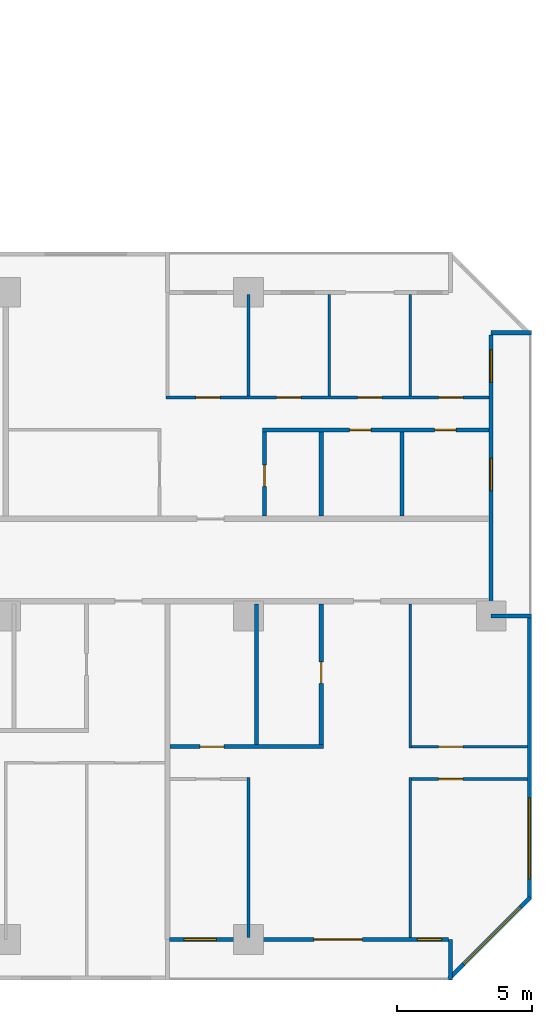
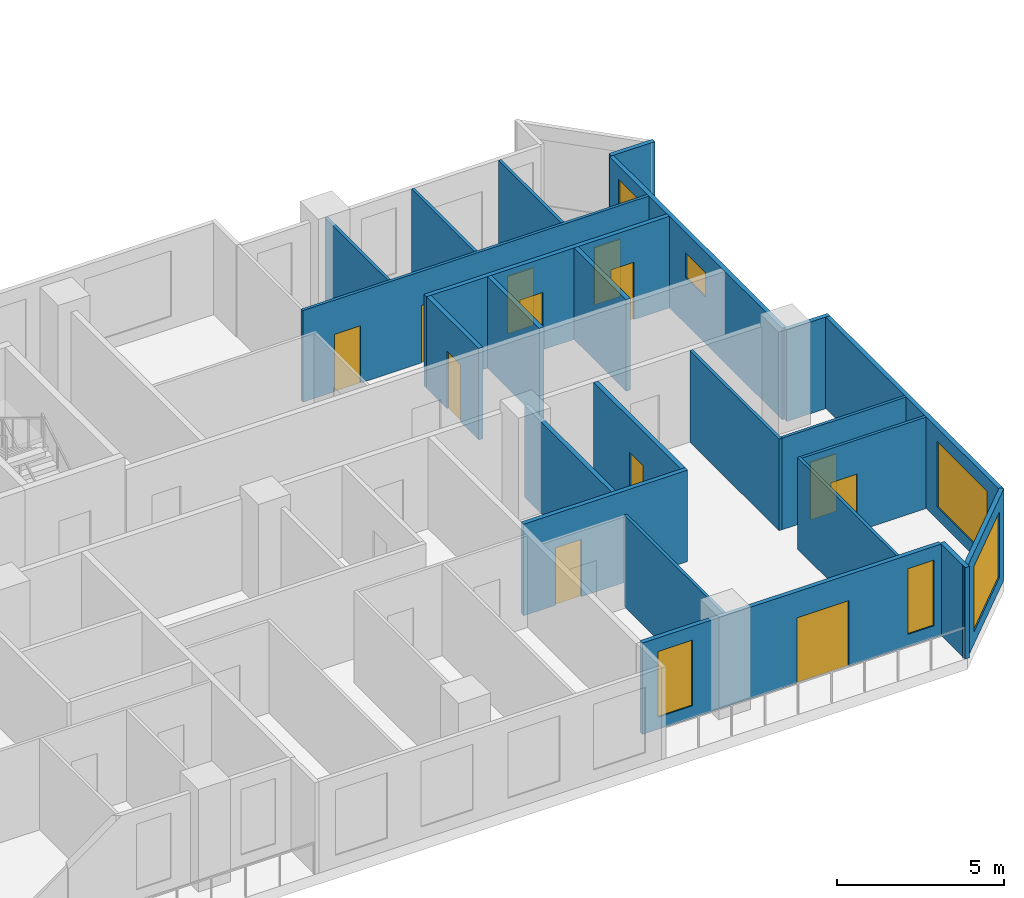
# One storey, part 11 of 15: 23 walls, 12 doors, 6 windows, 18 openings.
"""IFC4 building model written with IfcOpenShell, lengths in metres."""

from ifc_helpers import new_model, si_unit, direction, frame, frame_2d, origin, place, context, subcontext, project, spatial, rectangle, extrude, material, layer, layer_set, type_object, element, fill, save


model = new_model("IFC4")

# Units and contexts
model_context = context("Model", 3, precision=1e-05, world=origin(), true_north=direction((0.0, 1.0)))
body_context = subcontext(model_context, "Body", "Model", "MODEL_VIEW")
ifc_project = project(units=[si_unit("LENGTHUNIT", "METRE"), si_unit("AREAUNIT", "SQUARE_METRE"), si_unit("VOLUMEUNIT", "CUBIC_METRE"), si_unit("PLANEANGLEUNIT", "RADIAN"), si_unit("MASSUNIT", "GRAM", prefix="KILO")], contexts=[model_context])

# Site, building, storey
site_placement = place(None, origin())
site = spatial("IfcSite", under=ifc_project, at=site_placement, CompositionType="ELEMENT")
building_placement = place(site_placement, origin())
building = spatial("IfcBuilding", under=site, at=building_placement, Name="Chenar Terraces", CompositionType="ELEMENT")
storey_placement = place(building_placement, frame((0.0, 0.0, 45.14990234375)))
storey = spatial("IfcBuildingStorey", under=building, at=storey_placement, Name="L08", CompositionType="ELEMENT", Elevation=45.14990234375)

# Wall, opening, window
ifc_material_1 = material(Name="Aluminium framed glazing", Category="aluminium")
ifc_layer_1 = layer(ifc_material_1, 0.14990234375)
ifc_layer_set_1 = layer_set([ifc_layer_1], Name="Aluminium framed glazing")
wall_type_1 = type_object("IfcWallType", Name="Glazed flush facade wall 150", PredefinedType="SOLIDWALL", material=ifc_layer_set_1)
wall_1_placement = place(storey_placement, frame((73.425048828125, 1.5, 0.0), z_axis=(0.0, 0.0, 1.0), x_axis=(0.0, 1.0, 0.0)))
wall_1 = element("IfcWall", 1, at=wall_1_placement, inside=storey, type_object=wall_type_1, Name="Glazed flush facade wall", PredefinedType="SOLIDWALL", context=body_context, shape_type="SweptSolid", body=[
    extrude(rectangle(XDim=10.425048828125, YDim=0.14990234375, at=frame_2d((5.21240234375, 0.0))), origin(), (0.0, 0.0, 1.0), 3.35009765625),
])
opening_1_placement = place(wall_1_placement, frame((0.75, 0.0, 0.449951171875)))
opening_1 = element("IfcOpeningElement", 2, at=opening_1_placement, cuts=wall_1, Name="Opening W300x240", PredefinedType="OPENING", context=body_context, shape_type="SweptSolid", body=[
    extrude(rectangle(XDim=3.0, YDim=2.39990234375, at=frame_2d((1.5, 1.199951171875))), frame((0.0, 0.0849609375, 0.0), z_axis=(0.0, -1.0, 0.0), x_axis=(1.0, 0.0, 0.0)), (0.0, 0.0, 1.0), 0.169921875),
])
ifc_material_2 = material(Name="Low emissivity double glazing, aluminium frame", Category="aluminium")
window_type_1 = type_object("IfcWindowType", Name="Fixed light 3000 x 2400", PartitioningType="SINGLE_PANEL", PredefinedType="WINDOW", material=ifc_material_2)
window_1_placement = place(opening_1_placement, origin())
window_1 = element("IfcWindow", 3, at=window_1_placement, inside=storey, type_object=window_type_1, Name="Window", OverallHeight=2.39990234375, OverallWidth=3.0, PartitioningType="SINGLE_PANEL", PredefinedType="WINDOW", context=body_context, shape_type="SweptSolid", body=[
    extrude(rectangle(XDim=3.0, YDim=2.39990234375, at=frame_2d((1.5, 1.199951171875))), frame((0.0, 0.030029296875, 0.0), z_axis=(0.0, -1.0, 0.0), x_axis=(1.0, 0.0, 0.0)), (0.0, 0.0, 1.0), 0.06005859375),
])
fill(opening_1, window_1)

# Wall, openings, windows, door
ifc_material_3 = material(Name="Aluminium framed glazing", Category="aluminium")
ifc_layer_2 = layer(ifc_material_3, 0.14990234375)
ifc_layer_set_2 = layer_set([ifc_layer_2], Name="Aluminium framed glazing")
wall_type_2 = type_object("IfcWallType", Name="Glazed loggia back wall 150", PredefinedType="SOLIDWALL", material=ifc_layer_set_2)
wall_2_placement = place(storey_placement, frame((60.074951171875, 0.0, 0.0), z_axis=(0.0, 0.0, 1.0), x_axis=(1.0, 0.0, 0.0)))
wall_2 = element("IfcWall", 4, at=wall_2_placement, inside=storey, type_object=wall_type_2, Name="Glazed loggia back wall", PredefinedType="SOLIDWALL", context=body_context, shape_type="SweptSolid", body=[
    extrude(rectangle(XDim=10.35009765625, YDim=0.14990234375, at=frame_2d((5.175048828125, 0.0))), origin(), (0.0, 0.0, 1.0), 3.35009765625),
])
opening_2_placement = place(wall_2_placement, frame((0.53759765625, 0.0, 0.449951171875)))
opening_2 = element("IfcOpeningElement", 5, at=opening_2_placement, cuts=wall_2, Name="Opening W120x240", PredefinedType="OPENING", context=body_context, shape_type="SweptSolid", body=[
    extrude(rectangle(XDim=1.199951171875, YDim=2.39990234375, at=frame_2d((0.60009765625, 1.199951171875))), frame((0.0, 0.0849609375, 0.0), z_axis=(0.0, -1.0, 0.0), x_axis=(1.0, 0.0, 0.0)), (0.0, 0.0, 1.0), 0.169921875),
])
opening_3_placement = place(wall_2_placement, frame((5.35009765625, 0.0, 0.0)))
opening_3 = element("IfcOpeningElement", 6, at=opening_3_placement, cuts=wall_2, Name="Opening DL08-G8", PredefinedType="OPENING", context=body_context, shape_type="SweptSolid", body=[
    extrude(rectangle(XDim=1.800048828125, YDim=2.39990234375, at=frame_2d((0.89990234375, 1.199951171875))), frame((0.0, 0.0849609375, 0.0), z_axis=(0.0, -1.0, 0.0), x_axis=(1.0, 0.0, 0.0)), (0.0, 0.0, 1.0), 0.169921875),
])
opening_4_placement = place(wall_2_placement, frame((9.1875, 0.0, 0.449951171875)))
opening_4 = element("IfcOpeningElement", 7, at=opening_4_placement, cuts=wall_2, Name="Opening W90x240", PredefinedType="OPENING", context=body_context, shape_type="SweptSolid", body=[
    extrude(rectangle(XDim=0.89990234375, YDim=2.39990234375, at=frame_2d((0.449951171875, 1.199951171875))), frame((0.0, 0.0849609375, 0.0), z_axis=(0.0, -1.0, 0.0), x_axis=(1.0, 0.0, 0.0)), (0.0, 0.0, 1.0), 0.169921875),
])
ifc_material_4 = material(Name="Low emissivity double glazing, aluminium frame", Category="aluminium")
window_type_2 = type_object("IfcWindowType", Name="Fixed light 1200 x 2400", PartitioningType="SINGLE_PANEL", PredefinedType="WINDOW", material=ifc_material_4)
window_2_placement = place(opening_2_placement, origin())
window_2 = element("IfcWindow", 8, at=window_2_placement, inside=storey, type_object=window_type_2, Name="Window", OverallHeight=2.39990234375, OverallWidth=1.199951171875, PartitioningType="SINGLE_PANEL", PredefinedType="WINDOW", context=body_context, shape_type="SweptSolid", body=[
    extrude(rectangle(XDim=1.199951171875, YDim=2.39990234375, at=frame_2d((0.60009765625, 1.199951171875))), frame((0.0, 0.030029296875, 0.0), z_axis=(0.0, -1.0, 0.0), x_axis=(1.0, 0.0, 0.0)), (0.0, 0.0, 1.0), 0.06005859375),
])
fill(opening_2, window_2)
ifc_material_5 = material(Name="Low emissivity double glazing, aluminium frame", Category="aluminium")
window_type_3 = type_object("IfcWindowType", Name="Fixed light 900 x 2400", PartitioningType="SINGLE_PANEL", PredefinedType="WINDOW", material=ifc_material_5)
window_3_placement = place(opening_4_placement, origin())
window_3 = element("IfcWindow", 9, at=window_3_placement, inside=storey, type_object=window_type_3, Name="Window", OverallHeight=2.39990234375, OverallWidth=0.89990234375, PartitioningType="SINGLE_PANEL", PredefinedType="WINDOW", context=body_context, shape_type="SweptSolid", body=[
    extrude(rectangle(XDim=0.89990234375, YDim=2.39990234375, at=frame_2d((0.449951171875, 1.199951171875))), frame((0.0, 0.030029296875, 0.0), z_axis=(0.0, -1.0, 0.0), x_axis=(1.0, 0.0, 0.0)), (0.0, 0.0, 1.0), 0.06005859375),
])
fill(opening_4, window_3)
ifc_material_6 = material(Name="Low emissivity double glazing, aluminium frame", Category="aluminium")
door_type_1 = type_object("IfcDoorType", Name="Loggia glazed double door 1800 x 2400", OperationType="DOUBLE_DOOR_SINGLE_SWING", PredefinedType="DOOR", material=ifc_material_6)
door_1_placement = place(opening_3_placement, frame((1.800048828125, 0.0, 0.0), z_axis=(0.0, 0.0, 1.0), x_axis=(-1.0, 0.0, 0.0)))
door_1 = element("IfcDoor", 10, at=door_1_placement, inside=storey, type_object=door_type_1, Name="Loggia glazed door", OperationType="DOUBLE_DOOR_SINGLE_SWING", OverallHeight=2.39990234375, OverallWidth=1.800048828125, PredefinedType="DOOR", context=body_context, shape_type="SweptSolid", body=[
    extrude(rectangle(XDim=1.800048828125, YDim=2.39990234375, at=frame_2d((0.89990234375, 1.199951171875))), frame((0.0, 0.02490234375, 0.0), z_axis=(0.0, -1.0, 0.0), x_axis=(1.0, 0.0, 0.0)), (0.0, 0.0, 1.0), 0.050048828125),
])
fill(opening_3, door_1)

# Wall, openings, windows
wall_3_placement = place(storey_placement, frame((72.0, 12.074951171875, 0.0), z_axis=(0.0, 0.0, 1.0), x_axis=(0.0, 1.0, 0.0)))
wall_3 = element("IfcWall", 11, at=wall_3_placement, inside=storey, type_object=wall_type_2, Name="Glazed loggia back wall", PredefinedType="SOLIDWALL", context=body_context, shape_type="SweptSolid", body=[
    extrude(rectangle(XDim=10.35009765625, YDim=0.14990234375, at=frame_2d((5.175048828125, 0.0))), origin(), (0.0, 0.0, 1.0), 3.35009765625),
])
opening_5_placement = place(wall_3_placement, frame((4.574951171875, 0.0, 1.699951171875)))
opening_5 = element("IfcOpeningElement", 12, at=opening_5_placement, cuts=wall_3, Name="Opening W120x90", PredefinedType="OPENING", context=body_context, shape_type="SweptSolid", body=[
    extrude(rectangle(XDim=1.199951171875, YDim=0.89990234375, at=frame_2d((0.60009765625, 0.449951171875))), frame((0.0, 0.0849609375, 0.0), z_axis=(0.0, -1.0, 0.0), x_axis=(1.0, 0.0, 0.0)), (0.0, 0.0, 1.0), 0.169921875),
])
opening_6_placement = place(wall_3_placement, frame((8.58740234375, 0.0, 0.449951171875)))
opening_6 = element("IfcOpeningElement", 13, at=opening_6_placement, cuts=wall_3, Name="Opening W120x240", PredefinedType="OPENING", context=body_context, shape_type="SweptSolid", body=[
    extrude(rectangle(XDim=1.199951171875, YDim=2.39990234375, at=frame_2d((0.60009765625, 1.199951171875))), frame((0.0, 0.0849609375, 0.0), z_axis=(0.0, -1.0, 0.0), x_axis=(1.0, 0.0, 0.0)), (0.0, 0.0, 1.0), 0.169921875),
])
window_4_placement = place(opening_6_placement, origin())
window_4 = element("IfcWindow", 14, at=window_4_placement, inside=storey, type_object=window_type_2, Name="Window", OverallHeight=2.39990234375, OverallWidth=1.199951171875, PartitioningType="SINGLE_PANEL", PredefinedType="WINDOW", context=body_context, shape_type="SweptSolid", body=[
    extrude(rectangle(XDim=1.199951171875, YDim=2.39990234375, at=frame_2d((0.60009765625, 1.199951171875))), frame((0.0, 0.030029296875, 0.0), z_axis=(0.0, -1.0, 0.0), x_axis=(1.0, 0.0, 0.0)), (0.0, 0.0, 1.0), 0.06005859375),
])
fill(opening_6, window_4)
ifc_material_7 = material(Name="Low emissivity double glazing, aluminium frame", Category="aluminium")
window_type_4 = type_object("IfcWindowType", Name="Fixed light 1200 x 900", PartitioningType="SINGLE_PANEL", PredefinedType="WINDOW", material=ifc_material_7)
window_5_placement = place(opening_5_placement, origin())
window_5 = element("IfcWindow", 15, at=window_5_placement, inside=storey, type_object=window_type_4, Name="Window", OverallHeight=0.89990234375, OverallWidth=1.199951171875, PartitioningType="SINGLE_PANEL", PredefinedType="WINDOW", context=body_context, shape_type="SweptSolid", body=[
    extrude(rectangle(XDim=1.199951171875, YDim=0.89990234375, at=frame_2d((0.60009765625, 0.449951171875))), frame((0.0, 0.030029296875, 0.0), z_axis=(0.0, -1.0, 0.0), x_axis=(1.0, 0.0, 0.0)), (0.0, 0.0, 1.0), 0.06005859375),
])
fill(opening_5, window_5)

# Wall, openings, doors
ifc_material_8 = material(Name="Gypsum board on steel studs", Category="steel")
ifc_layer_3 = layer(ifc_material_8, 0.10009765625)
ifc_layer_set_3 = layer_set([ifc_layer_3], Name="Gypsum board on steel studs")
wall_type_3 = type_object("IfcWallType", Name="Gypsum partition 100", PredefinedType="PARTITIONING", material=ifc_layer_set_3)
wall_4_placement = place(storey_placement, frame((59.949951171875, 20.10009765625, 0.0), z_axis=(0.0, 0.0, 1.0), x_axis=(1.0, 0.0, 0.0)))
wall_4 = element("IfcWall", 16, at=wall_4_placement, inside=storey, type_object=wall_type_3, Name="Partition L08-084", PredefinedType="PARTITIONING", context=body_context, shape_type="SweptSolid", body=[
    extrude(rectangle(XDim=11.97607421875, YDim=0.10009765625, at=frame_2d((5.988037109375, 0.0))), origin(), (0.0, 0.0, 1.0), 3.35009765625),
])
opening_7_placement = place(wall_4_placement, frame((1.10009765625, 0.0, 0.0)))
opening_7 = element("IfcOpeningElement", 17, at=opening_7_placement, cuts=wall_4, Name="Opening DL08-5", PredefinedType="OPENING", context=body_context, shape_type="SweptSolid", body=[
    extrude(rectangle(XDim=0.89990234375, YDim=2.10009765625, at=frame_2d((0.449951171875, 1.050048828125))), frame((0.0, 0.06005859375, 0.0), z_axis=(0.0, -1.0, 0.0), x_axis=(1.0, 0.0, 0.0)), (0.0, 0.0, 1.0), 0.1201171875),
])
opening_8_placement = place(wall_4_placement, frame((4.10009765625, 0.0, 0.0)))
opening_8 = element("IfcOpeningElement", 18, at=opening_8_placement, cuts=wall_4, Name="Opening DL08-6", PredefinedType="OPENING", context=body_context, shape_type="SweptSolid", body=[
    extrude(rectangle(XDim=0.89990234375, YDim=2.10009765625, at=frame_2d((0.449951171875, 1.050048828125))), frame((0.0, 0.06005859375, 0.0), z_axis=(0.0, -1.0, 0.0), x_axis=(1.0, 0.0, 0.0)), (0.0, 0.0, 1.0), 0.1201171875),
])
opening_9_placement = place(wall_4_placement, frame((7.10009765625, 0.0, 0.0)))
opening_9 = element("IfcOpeningElement", 19, at=opening_9_placement, cuts=wall_4, Name="Opening DL08-7", PredefinedType="OPENING", context=body_context, shape_type="SweptSolid", body=[
    extrude(rectangle(XDim=0.89990234375, YDim=2.10009765625, at=frame_2d((0.449951171875, 1.050048828125))), frame((0.0, 0.06005859375, 0.0), z_axis=(0.0, -1.0, 0.0), x_axis=(1.0, 0.0, 0.0)), (0.0, 0.0, 1.0), 0.1201171875),
])
opening_10_placement = place(wall_4_placement, frame((10.10009765625, 0.0, 0.0)))
opening_10 = element("IfcOpeningElement", 20, at=opening_10_placement, cuts=wall_4, Name="Opening DL08-8", PredefinedType="OPENING", context=body_context, shape_type="SweptSolid", body=[
    extrude(rectangle(XDim=0.89990234375, YDim=2.10009765625, at=frame_2d((0.449951171875, 1.050048828125))), frame((0.0, 0.06005859375, 0.0), z_axis=(0.0, -1.0, 0.0), x_axis=(1.0, 0.0, 0.0)), (0.0, 0.0, 1.0), 0.1201171875),
])
ifc_material_9 = material(Name="Veneered timber door leaf", Category="wood")
door_type_2 = type_object("IfcDoorType", Name="Door 900 x 2100", OperationType="SINGLE_SWING_LEFT", PredefinedType="DOOR", material=ifc_material_9)
door_2_placement = place(opening_7_placement, origin())
door_2 = element("IfcDoor", 21, at=door_2_placement, inside=storey, type_object=door_type_2, Name="Door DL08-5", OperationType="SINGLE_SWING_LEFT", OverallHeight=2.10009765625, OverallWidth=0.89990234375, PredefinedType="DOOR", context=body_context, shape_type="SweptSolid", body=[
    extrude(rectangle(XDim=0.89990234375, YDim=2.10009765625, at=frame_2d((0.449951171875, 1.050048828125))), frame((0.0, 0.02490234375, 0.0), z_axis=(0.0, -1.0, 0.0), x_axis=(1.0, 0.0, 0.0)), (0.0, 0.0, 1.0), 0.050048828125),
])
fill(opening_7, door_2)
door_3_placement = place(opening_8_placement, origin())
door_3 = element("IfcDoor", 22, at=door_3_placement, inside=storey, type_object=door_type_2, Name="Door DL08-6", OperationType="SINGLE_SWING_LEFT", OverallHeight=2.10009765625, OverallWidth=0.89990234375, PredefinedType="DOOR", context=body_context, shape_type="SweptSolid", body=[
    extrude(rectangle(XDim=0.89990234375, YDim=2.10009765625, at=frame_2d((0.449951171875, 1.050048828125))), frame((0.0, 0.02490234375, 0.0), z_axis=(0.0, -1.0, 0.0), x_axis=(1.0, 0.0, 0.0)), (0.0, 0.0, 1.0), 0.050048828125),
])
fill(opening_8, door_3)
door_4_placement = place(opening_9_placement, origin())
door_4 = element("IfcDoor", 23, at=door_4_placement, inside=storey, type_object=door_type_2, Name="Door DL08-7", OperationType="SINGLE_SWING_LEFT", OverallHeight=2.10009765625, OverallWidth=0.89990234375, PredefinedType="DOOR", context=body_context, shape_type="SweptSolid", body=[
    extrude(rectangle(XDim=0.89990234375, YDim=2.10009765625, at=frame_2d((0.449951171875, 1.050048828125))), frame((0.0, 0.02490234375, 0.0), z_axis=(0.0, -1.0, 0.0), x_axis=(1.0, 0.0, 0.0)), (0.0, 0.0, 1.0), 0.050048828125),
])
fill(opening_9, door_4)
door_5_placement = place(opening_10_placement, origin())
door_5 = element("IfcDoor", 24, at=door_5_placement, inside=storey, type_object=door_type_2, Name="Door DL08-8", OperationType="SINGLE_SWING_LEFT", OverallHeight=2.10009765625, OverallWidth=0.89990234375, PredefinedType="DOOR", context=body_context, shape_type="SweptSolid", body=[
    extrude(rectangle(XDim=0.89990234375, YDim=2.10009765625, at=frame_2d((0.449951171875, 1.050048828125))), frame((0.0, 0.02490234375, 0.0), z_axis=(0.0, -1.0, 0.0), x_axis=(1.0, 0.0, 0.0)), (0.0, 0.0, 1.0), 0.050048828125),
])
fill(opening_10, door_5)

# Walls
wall_5_placement = place(storey_placement, frame((63.0, 0.073974609375, 0.0), z_axis=(0.0, 0.0, 1.0), x_axis=(0.0, 1.0, 0.0)))
element("IfcWall", 25, at=wall_5_placement, inside=storey, type_object=wall_type_3, Name="Partition L08-089", PredefinedType="PARTITIONING", context=body_context, shape_type="SweptSolid", body=[
    extrude(rectangle(XDim=5.926025390625, YDim=0.10009765625, at=frame_2d((2.962890625, 0.0))), origin(), (0.0, 0.0, 1.0), 3.35009765625),
])
for number, where, z_axis, x_axis, name in (
    (26, (63.0, 20.14990234375, 0.0), (0.0, 0.0, 1.0), (0.0, 1.0, 0.0), "Partition L08-090"),
    (27, (66.0, 20.14990234375, 0.0), (0.0, 0.0, 1.0), (0.0, 1.0, 0.0), "Partition L08-096"),
):
    element("IfcWall", number, at=place(storey_placement, frame(where, z_axis=z_axis, x_axis=x_axis)), inside=storey, type_object=wall_type_3, Name=name, PredefinedType="PARTITIONING", context=body_context, shape_type="SweptSolid", body=[
        extrude(rectangle(XDim=3.776123046875, YDim=0.10009765625, at=frame_2d((1.88818359375, 0.0))), origin(), (0.0, 0.0, 1.0), 3.35009765625),
    ])
wall_6_placement = place(storey_placement, frame((69.0, 0.073974609375, 0.0), z_axis=(0.0, 0.0, 1.0), x_axis=(0.0, 1.0, 0.0)))
element("IfcWall", 28, at=wall_6_placement, inside=storey, type_object=wall_type_3, Name="Partition L08-098", PredefinedType="PARTITIONING", context=body_context, shape_type="SweptSolid", body=[
    extrude(rectangle(XDim=5.926025390625, YDim=0.10009765625, at=frame_2d((2.962890625, 0.0))), origin(), (0.0, 0.0, 1.0), 3.35009765625),
])
wall_7_placement = place(storey_placement, frame((69.0, 7.10009765625, 0.0), z_axis=(0.0, 0.0, 1.0), x_axis=(0.0, 1.0, 0.0)))
element("IfcWall", 29, at=wall_7_placement, inside=storey, type_object=wall_type_3, Name="Partition L08-099", PredefinedType="PARTITIONING", context=body_context, shape_type="SweptSolid", body=[
    extrude(rectangle(XDim=5.349853515625, YDim=0.10009765625, at=frame_2d((2.6748046875, 0.0))), origin(), (0.0, 0.0, 1.0), 3.35009765625),
])
wall_8_placement = place(storey_placement, frame((69.0, 20.14990234375, 0.0), z_axis=(0.0, 0.0, 1.0), x_axis=(0.0, 1.0, 0.0)))
element("IfcWall", 30, at=wall_8_placement, inside=storey, type_object=wall_type_3, Name="Partition L08-100", PredefinedType="PARTITIONING", context=body_context, shape_type="SweptSolid", body=[
    extrude(rectangle(XDim=3.776123046875, YDim=0.10009765625, at=frame_2d((1.88818359375, 0.0))), origin(), (0.0, 0.0, 1.0), 3.35009765625),
])

# Wall, opening, door
wall_9_placement = place(storey_placement, frame((69.050048828125, 5.949951171875, 0.0), z_axis=(0.0, 0.0, 1.0), x_axis=(1.0, 0.0, 0.0)))
wall_9 = element("IfcWall", 31, at=wall_9_placement, inside=storey, type_object=wall_type_3, Name="Partition L08-101", PredefinedType="PARTITIONING", context=body_context, shape_type="SweptSolid", body=[
    extrude(rectangle(XDim=4.300048828125, YDim=0.10009765625, at=frame_2d((2.14990234375, 0.0))), origin(), (0.0, 0.0, 1.0), 3.35009765625),
])
opening_11_placement = place(wall_9_placement, frame((1.0, 0.0, 0.0)))
opening_11 = element("IfcOpeningElement", 32, at=opening_11_placement, cuts=wall_9, Name="Opening DL08-21", PredefinedType="OPENING", context=body_context, shape_type="SweptSolid", body=[
    extrude(rectangle(XDim=0.89990234375, YDim=2.10009765625, at=frame_2d((0.449951171875, 1.050048828125))), frame((0.0, 0.06005859375, 0.0), z_axis=(0.0, -1.0, 0.0), x_axis=(1.0, 0.0, 0.0)), (0.0, 0.0, 1.0), 0.1201171875),
])
door_6_placement = place(opening_11_placement, frame((0.89990234375, 0.0, 0.0), z_axis=(0.0, 0.0, 1.0), x_axis=(-1.0, 0.0, 0.0)))
door_6 = element("IfcDoor", 33, at=door_6_placement, inside=storey, type_object=door_type_2, Name="Door DL08-21", OperationType="SINGLE_SWING_RIGHT", OverallHeight=2.10009765625, OverallWidth=0.89990234375, PredefinedType="DOOR", context=body_context, shape_type="SweptSolid", body=[
    extrude(rectangle(XDim=0.89990234375, YDim=2.10009765625, at=frame_2d((0.449951171875, 1.050048828125))), frame((0.0, 0.02490234375, 0.0), z_axis=(0.0, -1.0, 0.0), x_axis=(1.0, 0.0, 0.0)), (0.0, 0.0, 1.0), 0.050048828125),
])
fill(opening_11, door_6)

wall_10_placement = place(storey_placement, frame((69.050048828125, 7.14990234375, 0.0), z_axis=(0.0, 0.0, 1.0), x_axis=(1.0, 0.0, 0.0)))
wall_10 = element("IfcWall", 34, at=wall_10_placement, inside=storey, type_object=wall_type_3, Name="Partition L08-102", PredefinedType="PARTITIONING", context=body_context, shape_type="SweptSolid", body=[
    extrude(rectangle(XDim=4.300048828125, YDim=0.10009765625, at=frame_2d((2.14990234375, 0.0))), origin(), (0.0, 0.0, 1.0), 3.35009765625),
])
opening_12_placement = place(wall_10_placement, frame((1.0, 0.0, 0.0)))
opening_12 = element("IfcOpeningElement", 35, at=opening_12_placement, cuts=wall_10, Name="Opening DL08-22", PredefinedType="OPENING", context=body_context, shape_type="SweptSolid", body=[
    extrude(rectangle(XDim=0.89990234375, YDim=2.10009765625, at=frame_2d((0.449951171875, 1.050048828125))), frame((0.0, 0.06005859375, 0.0), z_axis=(0.0, -1.0, 0.0), x_axis=(1.0, 0.0, 0.0)), (0.0, 0.0, 1.0), 0.1201171875),
])
door_7_placement = place(opening_12_placement, origin())
door_7 = element("IfcDoor", 36, at=door_7_placement, inside=storey, type_object=door_type_2, Name="Door DL08-22", OperationType="SINGLE_SWING_LEFT", OverallHeight=2.10009765625, OverallWidth=0.89990234375, PredefinedType="DOOR", context=body_context, shape_type="SweptSolid", body=[
    extrude(rectangle(XDim=0.89990234375, YDim=2.10009765625, at=frame_2d((0.449951171875, 1.050048828125))), frame((0.0, 0.02490234375, 0.0), z_axis=(0.0, -1.0, 0.0), x_axis=(1.0, 0.0, 0.0)), (0.0, 0.0, 1.0), 0.050048828125),
])
fill(opening_12, door_7)

# Walls
ifc_material_10 = material(Name="Terracotta cladding on insulated backing", Category="masonry")
ifc_layer_4 = layer(ifc_material_10, 0.14990234375)
ifc_layer_set_4 = layer_set([ifc_layer_4], Name="Terracotta cladding on insulated backing")
wall_type_4 = type_object("IfcWallType", Name="Loggia return wall 150", PredefinedType="SOLIDWALL", material=ifc_layer_set_4)
for number, where, z_axis, x_axis, name in (
    (37, (70.5, -1.5, 0.0), (0.0, 0.0, 1.0), (0.0, 1.0, 0.0), "Loggia return wall"),
    (38, (73.5, 12.0, 0.0), (0.0, 0.0, 1.0), (-1.0, 0.0, 0.0), "Loggia return wall"),
    (39, (73.5, 22.5, 0.0), (0.0, 0.0, 1.0), (-1.0, 0.0, 0.0), "Loggia return wall"),
):
    element("IfcWall", number, at=place(storey_placement, frame(where, z_axis=z_axis, x_axis=x_axis)), inside=storey, type_object=wall_type_4, Name=name, PredefinedType="SOLIDWALL", context=body_context, shape_type="SweptSolid", body=[
        extrude(rectangle(XDim=1.5, YDim=0.14990234375, at=frame_2d((0.75, 0.0))), origin(), (0.0, 0.0, 1.0), 3.35009765625),
    ])

# Wall, opening, window
ifc_material_11 = material(Name="Terracotta cladding on insulated backing", Category="masonry")
ifc_layer_5 = layer(ifc_material_11, 0.14990234375)
ifc_layer_set_5 = layer_set([ifc_layer_5], Name="Terracotta cladding on insulated backing")
wall_type_5 = type_object("IfcWallType", Name="Terracotta rainscreen wall 150", PredefinedType="SOLIDWALL", material=ifc_layer_set_5)
wall_11_placement = place(storey_placement, frame((70.447021484375, -1.447021484375, 0.0), z_axis=(0.0, 0.0, 1.0), x_axis=(0.707106781187, 0.707106781187, 0.0)))
wall_11 = element("IfcWall", 40, at=wall_11_placement, inside=storey, type_object=wall_type_5, Name="Terracotta rainscreen wall", PredefinedType="SOLIDWALL", context=body_context, shape_type="SweptSolid", body=[
    extrude(rectangle(XDim=4.24267578125, YDim=0.14990234375, at=frame_2d((2.121337890625, 0.0))), origin(), (0.0, 0.0, 1.0), 3.35009765625),
])
opening_13_placement = place(wall_11_placement, frame((0.744384765625, 0.0, 0.449951171875)))
opening_13 = element("IfcOpeningElement", 41, at=opening_13_placement, cuts=wall_11, Name="Opening W300x240", PredefinedType="OPENING", context=body_context, shape_type="SweptSolid", body=[
    extrude(rectangle(XDim=3.0, YDim=2.39990234375, at=frame_2d((1.5, 1.199951171875))), frame((0.0, 0.0849609375, 0.0), z_axis=(0.0, -1.0, 0.0), x_axis=(1.0, 0.0, 0.0)), (0.0, 0.0, 1.0), 0.169921875),
])
window_6_placement = place(opening_13_placement, origin())
window_6 = element("IfcWindow", 42, at=window_6_placement, inside=storey, type_object=window_type_1, Name="Window", OverallHeight=2.39990234375, OverallWidth=3.0, PartitioningType="SINGLE_PANEL", PredefinedType="WINDOW", context=body_context, shape_type="SweptSolid", body=[
    extrude(rectangle(XDim=3.0, YDim=2.39990234375, at=frame_2d((1.5, 1.199951171875))), frame((0.0, 0.030029296875, 0.0), z_axis=(0.0, -1.0, 0.0), x_axis=(1.0, 0.0, 0.0)), (0.0, 0.0, 1.0), 0.06005859375),
])
fill(opening_13, window_6)

# Wall, opening, door
ifc_material_12 = material(Name="Moisture-resistant gypsum board on steel studs", Category="steel")
ifc_layer_6 = layer(ifc_material_12, 0.14990234375)
ifc_layer_set_6 = layer_set([ifc_layer_6], Name="Moisture-resistant gypsum board on steel studs")
wall_type_6 = type_object("IfcWallType", Name="Wet-room partition 150", PredefinedType="PARTITIONING", material=ifc_layer_set_6)
wall_12_placement = place(storey_placement, frame((60.10009765625, 7.14990234375, 0.0), z_axis=(0.0, 0.0, 1.0), x_axis=(1.0, 0.0, 0.0)))
wall_12 = element("IfcWall", 43, at=wall_12_placement, inside=storey, type_object=wall_type_6, Name="Partition L08-088", PredefinedType="PARTITIONING", context=body_context, shape_type="SweptSolid", body=[
    extrude(rectangle(XDim=5.6748046875, YDim=0.14990234375, at=frame_2d((2.83740234375, 0.0))), origin(), (0.0, 0.0, 1.0), 3.35009765625),
])
opening_14_placement = place(wall_12_placement, frame((1.10009765625, 0.0, 0.0)))
opening_14 = element("IfcOpeningElement", 44, at=opening_14_placement, cuts=wall_12, Name="Opening DL08-24", PredefinedType="OPENING", context=body_context, shape_type="SweptSolid", body=[
    extrude(rectangle(XDim=0.89990234375, YDim=2.10009765625, at=frame_2d((0.449951171875, 1.050048828125))), frame((0.0, 0.0849609375, 0.0), z_axis=(0.0, -1.0, 0.0), x_axis=(1.0, 0.0, 0.0)), (0.0, 0.0, 1.0), 0.169921875),
])
door_8_placement = place(opening_14_placement, origin())
door_8 = element("IfcDoor", 45, at=door_8_placement, inside=storey, type_object=door_type_2, Name="Door DL08-24", OperationType="SINGLE_SWING_LEFT", OverallHeight=2.10009765625, OverallWidth=0.89990234375, PredefinedType="DOOR", context=body_context, shape_type="SweptSolid", body=[
    extrude(rectangle(XDim=0.89990234375, YDim=2.10009765625, at=frame_2d((0.449951171875, 1.050048828125))), frame((0.0, 0.02490234375, 0.0), z_axis=(0.0, -1.0, 0.0), x_axis=(1.0, 0.0, 0.0)), (0.0, 0.0, 1.0), 0.050048828125),
])
fill(opening_14, door_8)

# Wall
wall_13_placement = place(storey_placement, frame((63.300048828125, 7.22509765625, 0.0), z_axis=(0.0, 0.0, 1.0), x_axis=(0.0, 1.0, 0.0)))
element("IfcWall", 46, at=wall_13_placement, inside=storey, type_object=wall_type_6, Name="Partition L08-091", PredefinedType="PARTITIONING", context=body_context, shape_type="SweptSolid", body=[
    extrude(rectangle(XDim=5.224853515625, YDim=0.14990234375, at=frame_2d((2.6123046875, 0.0))), origin(), (0.0, 0.0, 1.0), 3.35009765625),
])

# Wall, openings, doors
wall_14_placement = place(storey_placement, frame((63.52490234375, 18.89990234375, 0.0), z_axis=(0.0, 0.0, 1.0), x_axis=(1.0, 0.0, 0.0)))
wall_14 = element("IfcWall", 47, at=wall_14_placement, inside=storey, type_object=wall_type_6, Name="Partition L08-092", PredefinedType="PARTITIONING", context=body_context, shape_type="SweptSolid", body=[
    extrude(rectangle(XDim=8.401123046875, YDim=0.14990234375, at=frame_2d((4.20068359375, 0.0))), origin(), (0.0, 0.0, 1.0), 3.35009765625),
])
opening_15_placement = place(wall_14_placement, frame((6.375, 0.0, 0.0)))
opening_15 = element("IfcOpeningElement", 48, at=opening_15_placement, cuts=wall_14, Name="Opening DL08-10", PredefinedType="OPENING", context=body_context, shape_type="SweptSolid", body=[
    extrude(rectangle(XDim=0.800048828125, YDim=2.10009765625, at=frame_2d((0.39990234375, 1.050048828125))), frame((0.0, 0.0849609375, 0.0), z_axis=(0.0, -1.0, 0.0), x_axis=(1.0, 0.0, 0.0)), (0.0, 0.0, 1.0), 0.169921875),
])
opening_16_placement = place(wall_14_placement, frame((3.22509765625, 0.0, 0.0)))
opening_16 = element("IfcOpeningElement", 49, at=opening_16_placement, cuts=wall_14, Name="Opening DL08-12", PredefinedType="OPENING", context=body_context, shape_type="SweptSolid", body=[
    extrude(rectangle(XDim=0.800048828125, YDim=2.10009765625, at=frame_2d((0.39990234375, 1.050048828125))), frame((0.0, 0.0849609375, 0.0), z_axis=(0.0, -1.0, 0.0), x_axis=(1.0, 0.0, 0.0)), (0.0, 0.0, 1.0), 0.169921875),
])
ifc_material_13 = material(Name="Veneered timber door leaf", Category="wood")
door_type_3 = type_object("IfcDoorType", Name="Door 800 x 2100", OperationType="SINGLE_SWING_LEFT", PredefinedType="DOOR", material=ifc_material_13)
door_9_placement = place(opening_15_placement, frame((0.800048828125, 0.0, 0.0), z_axis=(0.0, 0.0, 1.0), x_axis=(-1.0, 0.0, 0.0)))
door_9 = element("IfcDoor", 50, at=door_9_placement, inside=storey, type_object=door_type_3, Name="Door DL08-10", OperationType="SINGLE_SWING_RIGHT", OverallHeight=2.10009765625, OverallWidth=0.800048828125, PredefinedType="DOOR", context=body_context, shape_type="SweptSolid", body=[
    extrude(rectangle(XDim=0.800048828125, YDim=2.10009765625, at=frame_2d((0.39990234375, 1.050048828125))), frame((0.0, 0.02490234375, 0.0), z_axis=(0.0, -1.0, 0.0), x_axis=(1.0, 0.0, 0.0)), (0.0, 0.0, 1.0), 0.050048828125),
])
fill(opening_15, door_9)
door_10_placement = place(opening_16_placement, frame((0.800048828125, 0.0, 0.0), z_axis=(0.0, 0.0, 1.0), x_axis=(-1.0, 0.0, 0.0)))
door_10 = element("IfcDoor", 51, at=door_10_placement, inside=storey, type_object=door_type_3, Name="Door DL08-12", OperationType="SINGLE_SWING_RIGHT", OverallHeight=2.10009765625, OverallWidth=0.800048828125, PredefinedType="DOOR", context=body_context, shape_type="SweptSolid", body=[
    extrude(rectangle(XDim=0.800048828125, YDim=2.10009765625, at=frame_2d((0.39990234375, 1.050048828125))), frame((0.0, 0.02490234375, 0.0), z_axis=(0.0, -1.0, 0.0), x_axis=(1.0, 0.0, 0.0)), (0.0, 0.0, 1.0), 0.050048828125),
])
fill(opening_16, door_10)

# Wall, opening, door
wall_15_placement = place(storey_placement, frame((63.60009765625, 15.699951171875, 0.0), z_axis=(0.0, 0.0, 1.0), x_axis=(0.0, 1.0, 0.0)))
wall_15 = element("IfcWall", 52, at=wall_15_placement, inside=storey, type_object=wall_type_6, Name="Partition L08-093", PredefinedType="PARTITIONING", context=body_context, shape_type="SweptSolid", body=[
    extrude(rectangle(XDim=3.125, YDim=0.14990234375, at=frame_2d((1.5625, 0.0))), origin(), (0.0, 0.0, 1.0), 3.35009765625),
])
opening_17_placement = place(wall_15_placement, frame((1.10009765625, 0.0, 0.0)))
opening_17 = element("IfcOpeningElement", 53, at=opening_17_placement, cuts=wall_15, Name="Opening DL08-4", PredefinedType="OPENING", context=body_context, shape_type="SweptSolid", body=[
    extrude(rectangle(XDim=0.800048828125, YDim=2.10009765625, at=frame_2d((0.39990234375, 1.050048828125))), frame((0.0, 0.0849609375, 0.0), z_axis=(0.0, -1.0, 0.0), x_axis=(1.0, 0.0, 0.0)), (0.0, 0.0, 1.0), 0.169921875),
])
door_11_placement = place(opening_17_placement, frame((0.800048828125, 0.0, 0.0), z_axis=(0.0, 0.0, 1.0), x_axis=(-1.0, 0.0, 0.0)))
door_11 = element("IfcDoor", 54, at=door_11_placement, inside=storey, type_object=door_type_3, Name="Door DL08-4", OperationType="SINGLE_SWING_RIGHT", OverallHeight=2.10009765625, OverallWidth=0.800048828125, PredefinedType="DOOR", context=body_context, shape_type="SweptSolid", body=[
    extrude(rectangle(XDim=0.800048828125, YDim=2.10009765625, at=frame_2d((0.39990234375, 1.050048828125))), frame((0.0, 0.02490234375, 0.0), z_axis=(0.0, -1.0, 0.0), x_axis=(1.0, 0.0, 0.0)), (0.0, 0.0, 1.0), 0.050048828125),
])
fill(opening_17, door_11)

wall_16_placement = place(storey_placement, frame((65.699951171875, 7.22509765625, 0.0), z_axis=(0.0, 0.0, 1.0), x_axis=(0.0, 1.0, 0.0)))
wall_16 = element("IfcWall", 55, at=wall_16_placement, inside=storey, type_object=wall_type_6, Name="Partition L08-094", PredefinedType="PARTITIONING", context=body_context, shape_type="SweptSolid", body=[
    extrude(rectangle(XDim=5.224853515625, YDim=0.14990234375, at=frame_2d((2.6123046875, 0.0))), origin(), (0.0, 0.0, 1.0), 3.35009765625),
])
opening_18_placement = place(wall_16_placement, frame((2.27490234375, 0.0, 0.0)))
opening_18 = element("IfcOpeningElement", 56, at=opening_18_placement, cuts=wall_16, Name="Opening DL08-19", PredefinedType="OPENING", context=body_context, shape_type="SweptSolid", body=[
    extrude(rectangle(XDim=0.800048828125, YDim=2.10009765625, at=frame_2d((0.39990234375, 1.050048828125))), frame((0.0, 0.0849609375, 0.0), z_axis=(0.0, -1.0, 0.0), x_axis=(1.0, 0.0, 0.0)), (0.0, 0.0, 1.0), 0.169921875),
])
door_12_placement = place(opening_18_placement, origin())
door_12 = element("IfcDoor", 57, at=door_12_placement, inside=storey, type_object=door_type_3, Name="Door DL08-19", OperationType="SINGLE_SWING_LEFT", OverallHeight=2.10009765625, OverallWidth=0.800048828125, PredefinedType="DOOR", context=body_context, shape_type="SweptSolid", body=[
    extrude(rectangle(XDim=0.800048828125, YDim=2.10009765625, at=frame_2d((0.39990234375, 1.050048828125))), frame((0.0, 0.02490234375, 0.0), z_axis=(0.0, -1.0, 0.0), x_axis=(1.0, 0.0, 0.0)), (0.0, 0.0, 1.0), 0.050048828125),
])
fill(opening_18, door_12)

# Walls
for number, where, z_axis, x_axis, name in (
    (58, (65.699951171875, 15.699951171875, 0.0), (0.0, 0.0, 1.0), (0.0, 1.0, 0.0), "Partition L08-095"),
    (59, (68.699951171875, 15.699951171875, 0.0), (0.0, 0.0, 1.0), (0.0, 1.0, 0.0), "Partition L08-097"),
):
    element("IfcWall", number, at=place(storey_placement, frame(where, z_axis=z_axis, x_axis=x_axis)), inside=storey, type_object=wall_type_6, Name=name, PredefinedType="PARTITIONING", context=body_context, shape_type="SweptSolid", body=[
        extrude(rectangle(XDim=3.125, YDim=0.14990234375, at=frame_2d((1.5625, 0.0))), origin(), (0.0, 0.0, 1.0), 3.35009765625),
    ])

save(model, "model.ifc")
